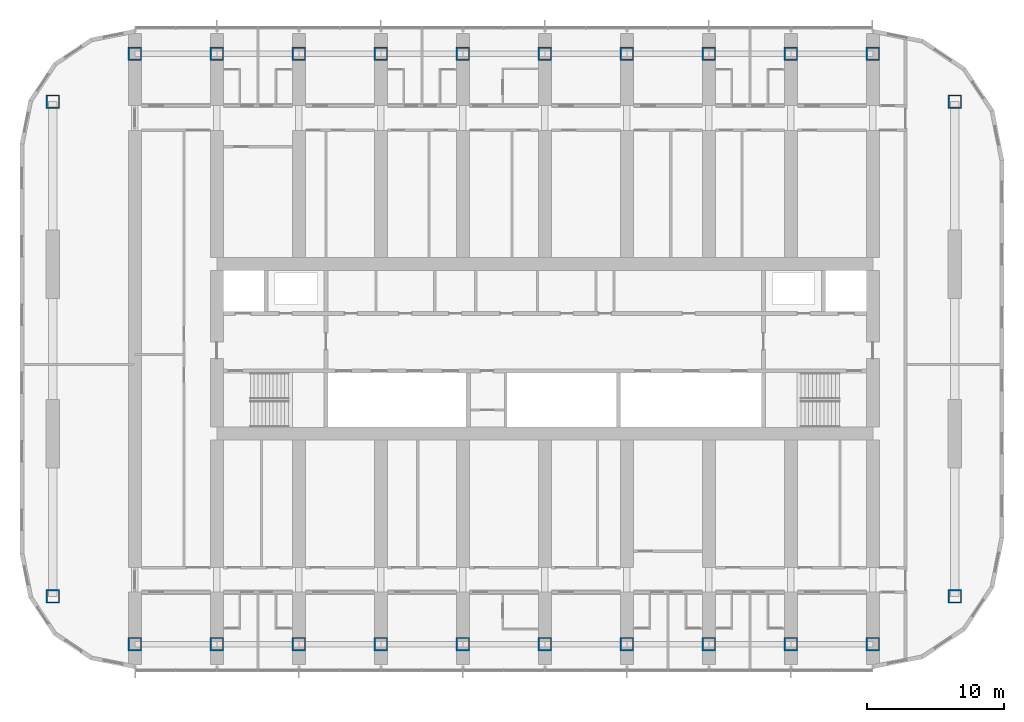
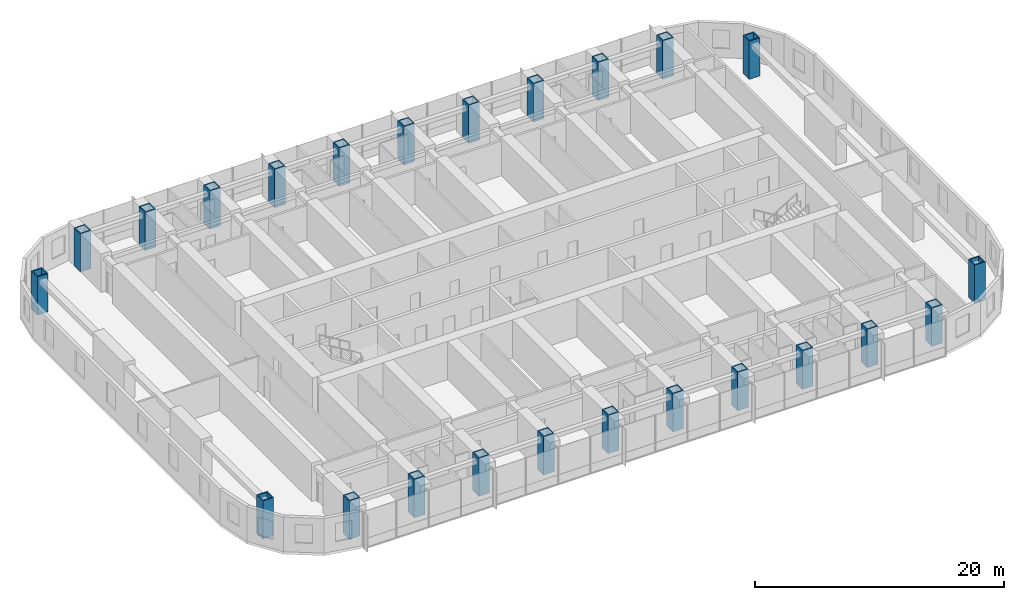
# One storey, part 1 of 20: 24 columns.
"""IFC4 building model written with IfcOpenShell, lengths in metres."""

from ifc_helpers import new_model, si_unit, direction, frame, origin, origin_2d, place, context, subcontext, project, spatial, hollow_rectangle, extrude, material, material_profile, profile_set, type_object, element, save


model = new_model("IFC4")

# Units and contexts
model_context = context("Model", 3, precision=1e-05, world=origin(), true_north=direction((0.0, 1.0)))
body_context = subcontext(model_context, "Body", "Model", "MODEL_VIEW")
ifc_project = project(units=[si_unit("LENGTHUNIT", "METRE"), si_unit("AREAUNIT", "SQUARE_METRE"), si_unit("VOLUMEUNIT", "CUBIC_METRE"), si_unit("PLANEANGLEUNIT", "RADIAN"), si_unit("MASSUNIT", "GRAM", prefix="KILO")], contexts=[model_context])

# Site, building, storey
site_placement = place(None, origin())
site = spatial("IfcSite", under=ifc_project, at=site_placement, CompositionType="ELEMENT")
building_placement = place(site_placement, origin())
building = spatial("IfcBuilding", under=site, at=building_placement, Name="Orbita Commons", CompositionType="ELEMENT")
storey_placement = place(building_placement, frame((0.0, 0.0, 129.39990234375)))
storey = spatial("IfcBuildingStorey", under=building, at=storey_placement, Name="L32", CompositionType="ELEMENT", Elevation=129.39990234375)

# Columns
ifc_material = material(Name="Steel ASTM A572 Gr 50 welded plate", Category="steel")
ifc_material_profile = material_profile(ifc_material, hollow_rectangle(XDim=1.0, YDim=1.0, WallThickness=0.10009765625, at=origin_2d()), Name="BOX 1000x1000x100")
ifc_profile_set = profile_set([ifc_material_profile], Name="Steel ASTM A572 Gr 50 welded plate")
column_type = type_object("IfcColumnType", Name="Steel column BOX 1000x1000x100", PredefinedType="COLUMN", material=ifc_profile_set)
for number, where, z_axis, x_axis, name in (
    (1, (12.0, 10.39990234375, 0.0), (0.0, 0.0, 1.0), (1.0, 0.0, 0.0), "Column 3/B L32"),
    (2, (12.0, 53.60009765625, 0.0), (0.0, 0.0, 1.0), (1.0, 0.0, 0.0), "Column 3/E L32"),
    (3, (18.0, 10.39990234375, 0.0), (0.0, 0.0, 1.0), (1.0, 0.0, 0.0), "Column 4/B L32"),
    (4, (18.0, 53.60009765625, 0.0), (0.0, 0.0, 1.0), (1.0, 0.0, 0.0), "Column 4/E L32"),
    (5, (24.0, 10.39990234375, 0.0), (0.0, 0.0, 1.0), (1.0, 0.0, 0.0), "Column 5/B L32"),
    (6, (24.0, 53.60009765625, 0.0), (0.0, 0.0, 1.0), (1.0, 0.0, 0.0), "Column 5/E L32"),
    (7, (30.0, 10.39990234375, 0.0), (0.0, 0.0, 1.0), (1.0, 0.0, 0.0), "Column 6/B L32"),
    (8, (30.0, 53.60009765625, 0.0), (0.0, 0.0, 1.0), (1.0, 0.0, 0.0), "Column 6/E L32"),
    (9, (36.0, 10.39990234375, 0.0), (0.0, 0.0, 1.0), (1.0, 0.0, 0.0), "Column 7/B L32"),
    (10, (36.0, 53.60009765625, 0.0), (0.0, 0.0, 1.0), (1.0, 0.0, 0.0), "Column 7/E L32"),
    (11, (42.0, 10.39990234375, 0.0), (0.0, 0.0, 1.0), (1.0, 0.0, 0.0), "Column 8/B L32"),
    (12, (42.0, 53.60009765625, 0.0), (0.0, 0.0, 1.0), (1.0, 0.0, 0.0), "Column 8/E L32"),
    (13, (48.0, 10.39990234375, 0.0), (0.0, 0.0, 1.0), (1.0, 0.0, 0.0), "Column 9/B L32"),
    (14, (48.0, 53.60009765625, 0.0), (0.0, 0.0, 1.0), (1.0, 0.0, 0.0), "Column 9/E L32"),
    (15, (54.0, 10.39990234375, 0.0), (0.0, 0.0, 1.0), (1.0, 0.0, 0.0), "Column 10/B L32"),
    (16, (54.0, 53.60009765625, 0.0), (0.0, 0.0, 1.0), (1.0, 0.0, 0.0), "Column 10/E L32"),
    (17, (60.0, 10.39990234375, 0.0), (0.0, 0.0, 1.0), (1.0, 0.0, 0.0), "Column 11/B L32"),
    (18, (60.0, 53.60009765625, 0.0), (0.0, 0.0, 1.0), (1.0, 0.0, 0.0), "Column 11/E L32"),
    (19, (66.0, 10.39990234375, 0.0), (0.0, 0.0, 1.0), (1.0, 0.0, 0.0), "Column 12/B L32"),
    (20, (66.0, 53.60009765625, 0.0), (0.0, 0.0, 1.0), (1.0, 0.0, 0.0), "Column 12/E L32"),
    (21, (6.0, 13.89990234375, 0.0), (0.0, 0.0, 1.0), (1.0, 0.0, 0.0), "Column 2/13.9 L32"),
    (22, (6.0, 50.10009765625, 0.0), (0.0, 0.0, 1.0), (1.0, 0.0, 0.0), "Column 2/50.1 L32"),
    (23, (72.0, 13.89990234375, 0.0), (0.0, 0.0, 1.0), (1.0, 0.0, 0.0), "Column 13/13.9 L32"),
    (24, (72.0, 50.10009765625, 0.0), (0.0, 0.0, 1.0), (1.0, 0.0, 0.0), "Column 13/50.1 L32"),
):
    element("IfcColumn", number, at=place(storey_placement, frame(where, z_axis=z_axis, x_axis=x_axis)), inside=storey, type_object=column_type, Name=name, PredefinedType="COLUMN", context=body_context, shape_type="SweptSolid", body=[
        extrude(hollow_rectangle(XDim=1.0, YDim=1.0, WallThickness=0.10009765625, at=origin_2d()), origin(), (0.0, 0.0, 1.0), 3.75),
    ])

save(model, "model.ifc")
